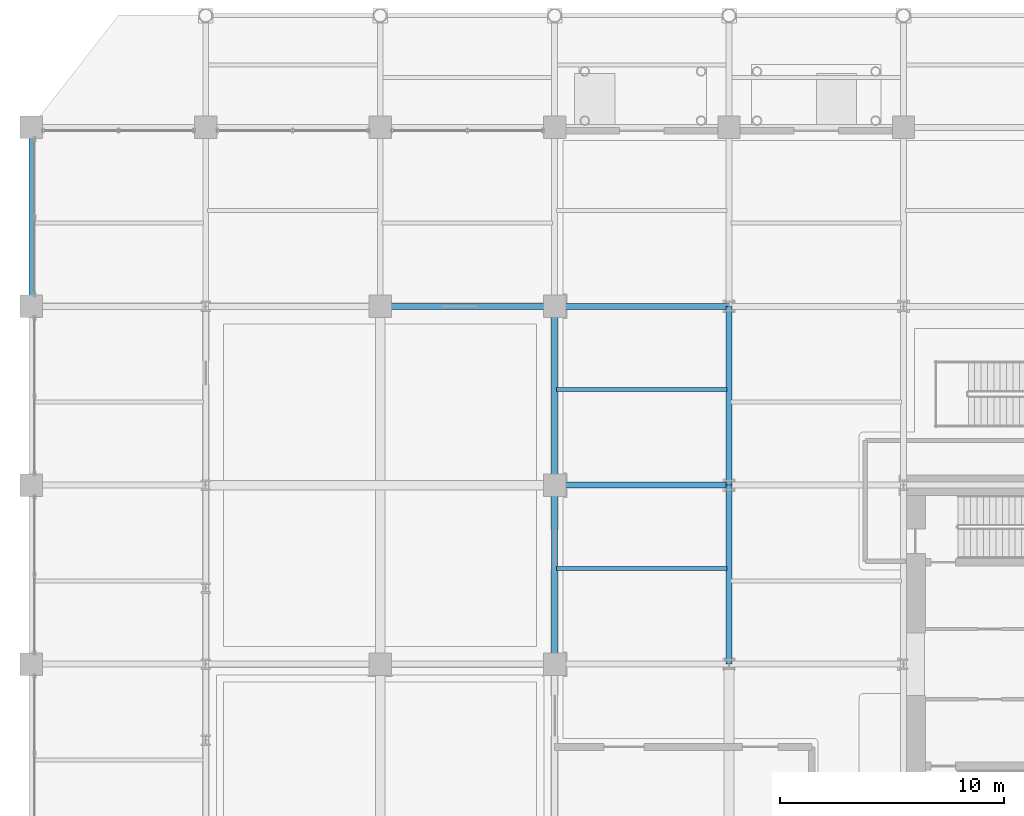
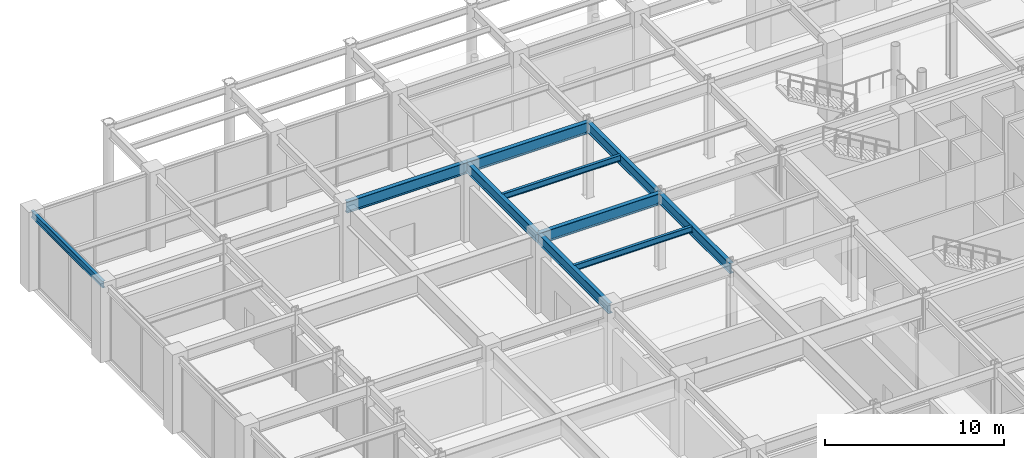
# One storey, part 13 of 27: 10 beams.
"""IFC4 building model written with IfcOpenShell, lengths in metres."""

from ifc_helpers import new_model, si_unit, direction, frame, origin, origin_2d, place, context, subcontext, project, spatial, i_section, extrude, material, material_profile, profile_set, type_object, element, save


model = new_model("IFC4")

# Units and contexts
model_context = context("Model", 3, precision=1e-05, world=origin(), true_north=direction((0.0, 1.0)))
body_context = subcontext(model_context, "Body", "Model", "MODEL_VIEW")
ifc_project = project(units=[si_unit("LENGTHUNIT", "METRE"), si_unit("AREAUNIT", "SQUARE_METRE"), si_unit("VOLUMEUNIT", "CUBIC_METRE"), si_unit("PLANEANGLEUNIT", "RADIAN"), si_unit("MASSUNIT", "GRAM", prefix="KILO")], contexts=[model_context])

# Site, building, storey
site_placement = place(None, origin())
site = spatial("IfcSite", under=ifc_project, at=site_placement, CompositionType="ELEMENT")
building_placement = place(site_placement, origin())
building = spatial("IfcBuilding", under=site, at=building_placement, Name="Veymaron Broadcast Tower", CompositionType="ELEMENT")
storey_placement = place(building_placement, origin())
storey = spatial("IfcBuildingStorey", under=building, at=storey_placement, Name="L00", CompositionType="ELEMENT", Elevation=0.0)

# Beams
ifc_material = material(Name="Structural steel ASTM A992 Gr 50", Category="steel")
ifc_material_profile_1 = material_profile(ifc_material, i_section(OverallWidth=0.177978515625, OverallDepth=0.406982421875, WebThickness=0.0078125, FlangeThickness=0.0126953125, at=origin_2d()), Name="W410X60")
ifc_profile_set_1 = profile_set([ifc_material_profile_1], Name="Structural steel ASTM A992 Gr 50")
beam_type_1 = type_object("IfcBeamType", Name="BM-JS1", PredefinedType="JOIST", material=ifc_profile_set_1)
for number, where, z_axis, x_axis, name in (
    (1, (23.485107421875, 28.280029296875, 4.91650390625), (1.0, 0.0, 0.0), (0.0, 1.0, 0.0), "L00 podium secondary floor joist"),
    (2, (23.485107421875, 36.280029296875, 4.91650390625), (1.0, 0.0, 0.0), (0.0, 1.0, 0.0), "L00 podium secondary floor joist"),
):
    element("IfcBeam", number, at=place(storey_placement, frame(where, z_axis=z_axis, x_axis=x_axis)), inside=storey, type_object=beam_type_1, Name=name, PredefinedType="JOIST", context=body_context, shape_type="SweptSolid", body=[
        extrude(i_section(OverallWidth=0.177978515625, OverallDepth=0.406982421875, WebThickness=0.0078125, FlangeThickness=0.0126953125, at=origin_2d()), origin(), (0.0, 0.0, 1.0), 7.6298828125),
    ])
ifc_material_profile_2 = material_profile(ifc_material, i_section(OverallWidth=0.26806640625, OverallDepth=0.77001953125, WebThickness=0.015625, FlangeThickness=0.025390625, at=origin_2d()), Name="W760X196")
ifc_profile_set_2 = profile_set([ifc_material_profile_2], Name="Structural steel ASTM A992 Gr 50")
beam_type_2 = type_object("IfcBeamType", Name="BM-PG1", PredefinedType="BEAM", material=ifc_profile_set_2)
beam_1_placement = place(storey_placement, frame((23.39990234375, 32.0, 4.735107421875), z_axis=(1.0, 0.0, 0.0), x_axis=(0.0, 1.0, 0.0)))
element("IfcBeam", 3, at=beam_1_placement, inside=storey, type_object=beam_type_2, Name="L00 podium primary X-girder", PredefinedType="BEAM", context=body_context, shape_type="SweptSolid", body=[
    extrude(i_section(OverallWidth=0.26806640625, OverallDepth=0.77001953125, WebThickness=0.015625, FlangeThickness=0.025390625, at=origin_2d()), origin(), (0.0, 0.0, 1.0), 7.800048828125),
])
beam_2_placement = place(storey_placement, frame((15.60009765625, 40.0, 4.735107421875), z_axis=(1.0, 0.0, 0.0), x_axis=(0.0, 1.0, 0.0)))
element("IfcBeam", 4, at=beam_2_placement, inside=storey, type_object=beam_type_2, Name="L00 podium primary X-girder", PredefinedType="BEAM", context=body_context, shape_type="SweptSolid", body=[
    extrude(i_section(OverallWidth=0.26806640625, OverallDepth=0.77001953125, WebThickness=0.015625, FlangeThickness=0.025390625, at=origin_2d()), origin(), (0.0, 0.0, 1.0), 7.7998046875),
])
beam_3_placement = place(storey_placement, frame((23.39990234375, 40.0, 4.735107421875), z_axis=(1.0, 0.0, 0.0), x_axis=(0.0, 1.0, 0.0)))
element("IfcBeam", 5, at=beam_3_placement, inside=storey, type_object=beam_type_2, Name="L00 podium primary X-girder", PredefinedType="BEAM", context=body_context, shape_type="SweptSolid", body=[
    extrude(i_section(OverallWidth=0.26806640625, OverallDepth=0.77001953125, WebThickness=0.015625, FlangeThickness=0.025390625, at=origin_2d()), origin(), (0.0, 0.0, 1.0), 7.800048828125),
])
ifc_material_profile_3 = material_profile(ifc_material, i_section(OverallWidth=0.256103515625, OverallDepth=0.693115234375, WebThickness=0.014404296875, FlangeThickness=0.023681640625, at=origin_2d()), Name="W690X170")
ifc_profile_set_3 = profile_set([ifc_material_profile_3], Name="Structural steel ASTM A992 Gr 50")
beam_type_3 = type_object("IfcBeamType", Name="BM-PG2", PredefinedType="BEAM", material=ifc_profile_set_3)
for number, where, z_axis, x_axis, name in (
    (6, (23.39990234375, 24.0, 4.7734375), (0.0, 1.0, 0.0), (-1.0, 0.0, 0.0), "L00 podium primary Y-girder"),
    (7, (23.39990234375, 32.0, 4.7734375), (0.0, 1.0, 0.0), (-1.0, 0.0, 0.0), "L00 podium primary Y-girder"),
    (8, (31.199951171875, 24.0, 4.7734375), (0.0, 1.0, 0.0), (-1.0, 0.0, 0.0), "L00 podium primary Y-girder"),
    (9, (31.199951171875, 32.0, 4.7734375), (0.0, 1.0, 0.0), (-1.0, 0.0, 0.0), "L00 podium primary Y-girder"),
):
    element("IfcBeam", number, at=place(storey_placement, frame(where, z_axis=z_axis, x_axis=x_axis)), inside=storey, type_object=beam_type_3, Name=name, PredefinedType="BEAM", context=body_context, shape_type="SweptSolid", body=[
        extrude(i_section(OverallWidth=0.256103515625, OverallDepth=0.693115234375, WebThickness=0.014404296875, FlangeThickness=0.023681640625, at=origin_2d()), origin(), (0.0, 0.0, 1.0), 8.0),
    ])
ifc_material_profile_4 = material_profile(ifc_material, i_section(OverallWidth=0.19091796875, OverallDepth=0.4599609375, WebThickness=0.010009765625, FlangeThickness=0.01611328125, at=origin_2d()), Name="W460X82")
ifc_profile_set_4 = profile_set([ifc_material_profile_4], Name="Structural steel ASTM A992 Gr 50")
beam_type_4 = type_object("IfcBeamType", Name="BM-SP1", PredefinedType="SPANDREL", material=ifc_profile_set_4)
beam_4_placement = place(storey_placement, frame((0.0, 40.0, 4.889892578125), z_axis=(0.0, 1.0, 0.0), x_axis=(-1.0, 0.0, 0.0)))
element("IfcBeam", 10, at=beam_4_placement, inside=storey, type_object=beam_type_4, Name="L00 podium primary Y-girder", PredefinedType="SPANDREL", context=body_context, shape_type="SweptSolid", body=[
    extrude(i_section(OverallWidth=0.19091796875, OverallDepth=0.4599609375, WebThickness=0.010009765625, FlangeThickness=0.01611328125, at=origin_2d()), origin(), (0.0, 0.0, 1.0), 8.0),
])

save(model, "model.ifc")
